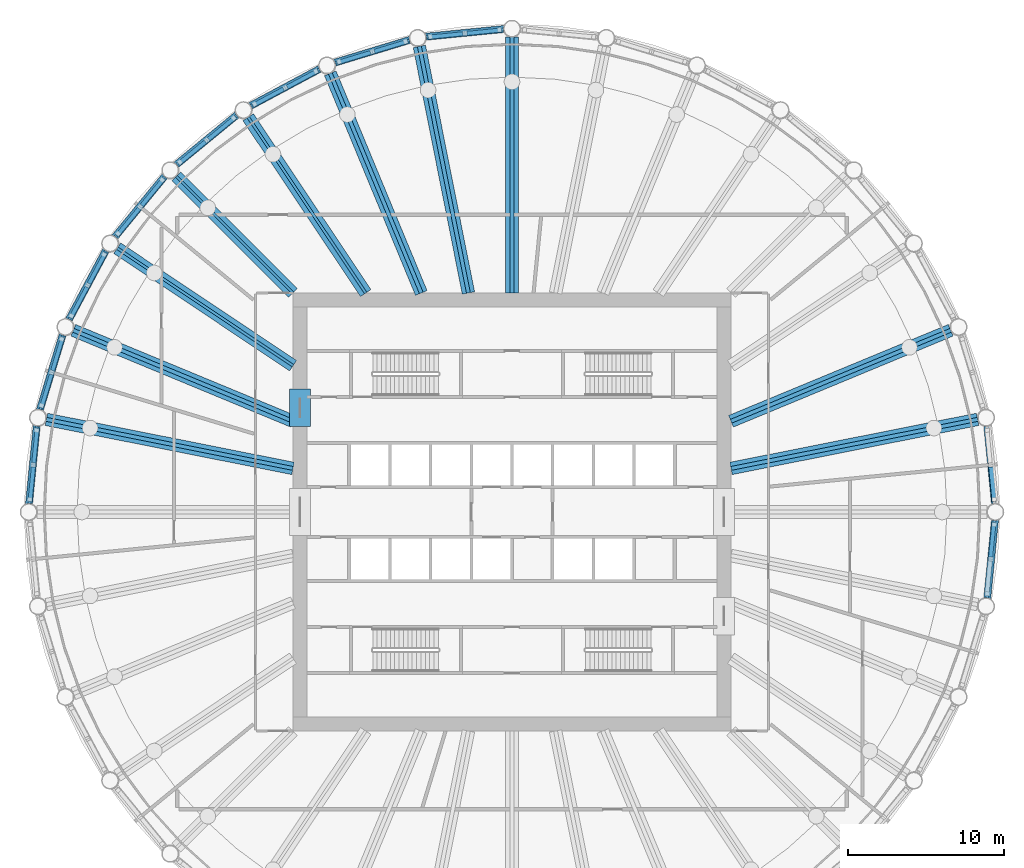
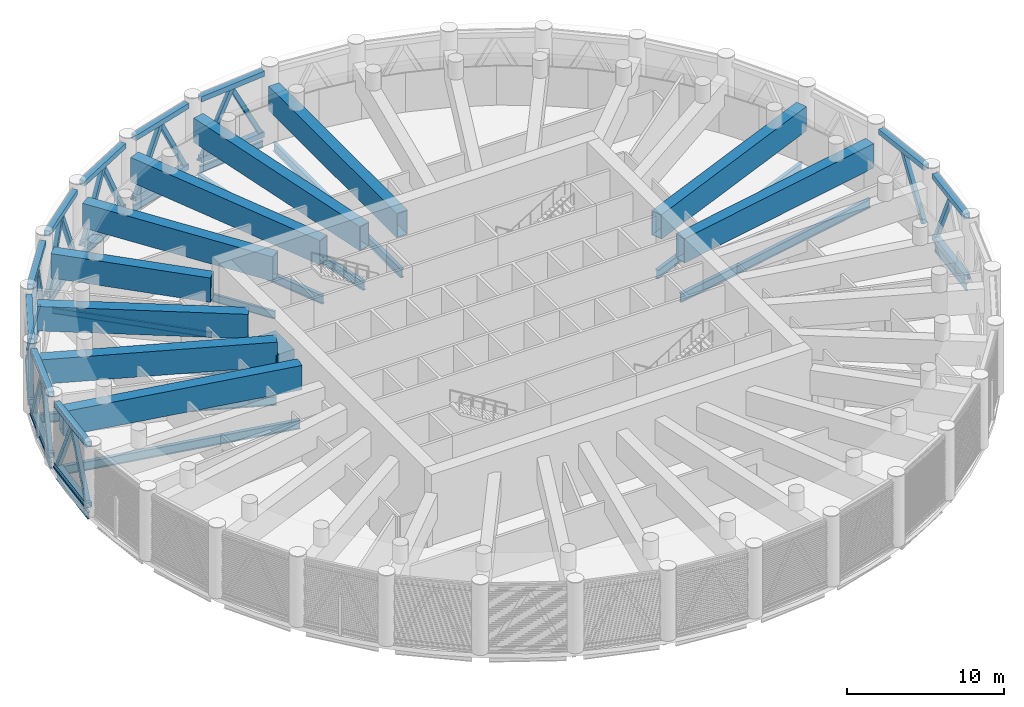
# One storey, part 3 of 23: 46 members, 30 beams, 9 elements without a shape of their own.
"""IFC4 building model written with IfcOpenShell, lengths in metres."""

from ifc_helpers import new_model, si_unit, direction, frame, origin, origin_2d, place, context, subcontext, project, spatial, rectangle, hollow_rectangle, i_section, extrude, material, material_profile, profile_set, type_object, element, aggregate, save


model = new_model("IFC4")

# Units and contexts
model_context = context("Model", 3, precision=1e-05, world=origin(), true_north=direction((0.0, 1.0)))
body_context = subcontext(model_context, "Body", "Model", "MODEL_VIEW")
ifc_project = project(units=[si_unit("LENGTHUNIT", "METRE"), si_unit("AREAUNIT", "SQUARE_METRE"), si_unit("VOLUMEUNIT", "CUBIC_METRE"), si_unit("PLANEANGLEUNIT", "RADIAN"), si_unit("MASSUNIT", "GRAM", prefix="KILO")], contexts=[model_context])

# Site, building, storey
site_placement = place(None, origin())
site = spatial("IfcSite", under=ifc_project, at=site_placement, CompositionType="ELEMENT")
building_placement = place(site_placement, origin())
building = spatial("IfcBuilding", under=site, at=building_placement, Name="Corvane Civic Tower", CompositionType="ELEMENT")
storey_placement = place(building_placement, frame((0.0, 0.0, 196.0)))
storey = spatial("IfcBuildingStorey", under=building, at=storey_placement, Name="L46", CompositionType="ELEMENT", Elevation=196.0)

# Members
ifc_material_1 = material(Name="Steel ASTM A500 Gr C", Category="steel")
ifc_material_profile_1 = material_profile(ifc_material_1, hollow_rectangle(XDim=0.406494140625, YDim=0.406494140625, WallThickness=0.0146484375, at=origin_2d()), Name="HSS16X16X5/8")
ifc_profile_set_1 = profile_set([ifc_material_profile_1], Name="Steel ASTM A500 Gr C")
member_type_1 = type_object("IfcMemberType", Name="BELT CHORD HSS16X16X5/8", PredefinedType="CHORD", material=ifc_profile_set_1)
for number, where, z_axis, x_axis, name in (
    (1, (30.360107421875, 5.48095703125, 4.94677734375), (0.09800181167, -0.995186236294, 0.0), (0.995186236294, 0.09800181167, 0.0), "Belt truss BT-L46"),
    (2, (30.845947265625, -0.54736328125, 4.94677734375), (-0.09800181167, -0.995186236294, 0.0), (0.995186236294, -0.09800181167, 0.0), "Belt truss BT-L46"),
    (3, (30.845947265625, -0.54736328125, 0.203125), (-0.09800181167, -0.995186236294, 0.0), (0.995186236294, -0.09800181167, 0.0), "Belt truss BT-L46"),
    (4, (-30.845947265625, 0.54736328125, 4.94677734375), (0.09800181167, 0.995186236294, 0.0), (-0.995186236294, 0.09800181167, 0.0), "Belt truss BT-L46"),
    (5, (-30.845947265625, 0.54736328125, 0.203125), (0.09800181167, 0.995186236294, 0.0), (-0.995186236294, 0.09800181167, 0.0), "Belt truss BT-L46"),
):
    element("IfcMember", number, at=place(storey_placement, frame(where, z_axis=z_axis, x_axis=x_axis)), inside=storey, type_object=member_type_1, Name=name, PredefinedType="CHORD", context=body_context, shape_type="SweptSolid", body=[
        extrude(hollow_rectangle(XDim=0.406494140625, YDim=0.406494140625, WallThickness=0.0146484375, at=origin_2d()), origin(), (0.0, 0.0, 1.0), 4.95751953125),
    ])
for number, where, z_axis, x_axis, name in (
    (6, (-30.146484375, 6.5546875, 4.94677734375), (0.290269821381, 0.956944842086, 0.0), (-0.956944842086, 0.290269821381, 0.0), "Belt truss BT-L46"),
    (7, (-30.146484375, 6.5546875, 0.203125), (0.290269821381, 0.956944842086, 0.0), (-0.956944842086, 0.290269821381, 0.0), "Belt truss BT-L46"),
):
    element("IfcMember", number, at=place(storey_placement, frame(where, z_axis=z_axis, x_axis=x_axis)), inside=storey, type_object=member_type_1, Name=name, PredefinedType="CHORD", context=body_context, shape_type="SweptSolid", body=[
        extrude(hollow_rectangle(XDim=0.406494140625, YDim=0.406494140625, WallThickness=0.0146484375, at=origin_2d()), origin(), (0.0, 0.0, 1.0), 4.957275390625),
    ])
for number, where, z_axis, x_axis, name in (
    (8, (-28.28857421875, 12.31005859375, 4.94677734375), (0.471395763042, 0.881921784846, 0.0), (-0.881921784846, 0.471395763042, 0.0), "Belt truss BT-L46"),
    (9, (-28.28857421875, 12.31005859375, 0.203125), (0.471395763042, 0.881921784846, 0.0), (-0.881921784846, 0.471395763042, 0.0), "Belt truss BT-L46"),
    (10, (-25.343505859375, 17.59228515625, 4.94677734375), (0.634387546532, 0.77301516208, 0.0), (-0.77301516208, 0.634387546532, 0.0), "Belt truss BT-L46"),
    (11, (-25.343505859375, 17.59228515625, 0.203125), (0.634387546532, 0.77301516208, 0.0), (-0.77301516208, 0.634387546532, 0.0), "Belt truss BT-L46"),
    (12, (-21.424560546875, 22.198486328125, 4.94677734375), (0.77301516208, 0.634387546532, 0.0), (-0.634387546532, 0.77301516208, 0.0), "Belt truss BT-L46"),
    (13, (-21.424560546875, 22.198486328125, 0.203125), (0.77301516208, 0.634387546532, 0.0), (-0.634387546532, 0.77301516208, 0.0), "Belt truss BT-L46"),
    (14, (-16.68212890625, 25.95166015625, 4.94677734375), (0.881921784846, 0.471395763042, 0.0), (-0.471395763042, 0.881921784846, 0.0), "Belt truss BT-L46"),
    (15, (-16.68212890625, 25.95166015625, 0.203125), (0.881921784846, 0.471395763042, 0.0), (-0.471395763042, 0.881921784846, 0.0), "Belt truss BT-L46"),
):
    element("IfcMember", number, at=place(storey_placement, frame(where, z_axis=z_axis, x_axis=x_axis)), inside=storey, type_object=member_type_1, Name=name, PredefinedType="CHORD", context=body_context, shape_type="SweptSolid", body=[
        extrude(hollow_rectangle(XDim=0.406494140625, YDim=0.406494140625, WallThickness=0.0146484375, at=origin_2d()), origin(), (0.0, 0.0, 1.0), 4.95751953125),
    ])
for number, where, z_axis, x_axis, name in (
    (16, (-11.298583984375, 28.70751953125, 4.94677734375), (0.956944842086, 0.290269821381, 0.0), (-0.290269821381, 0.956944842086, 0.0), "Belt truss BT-L46"),
    (17, (-11.298583984375, 28.70751953125, 0.203125), (0.956944842086, 0.290269821381, 0.0), (-0.290269821381, 0.956944842086, 0.0), "Belt truss BT-L46"),
):
    element("IfcMember", number, at=place(storey_placement, frame(where, z_axis=z_axis, x_axis=x_axis)), inside=storey, type_object=member_type_1, Name=name, PredefinedType="CHORD", context=body_context, shape_type="SweptSolid", body=[
        extrude(hollow_rectangle(XDim=0.406494140625, YDim=0.406494140625, WallThickness=0.0146484375, at=origin_2d()), origin(), (0.0, 0.0, 1.0), 4.957275390625),
    ])
for number, where, z_axis, x_axis, name in (
    (18, (-5.48095703125, 30.360107421875, 4.94677734375), (0.995186236294, 0.09800181167, 0.0), (-0.09800181167, 0.995186236294, 0.0), "Belt truss BT-L46"),
    (19, (-5.48095703125, 30.360107421875, 0.203125), (0.995186236294, 0.09800181167, 0.0), (-0.09800181167, 0.995186236294, 0.0), "Belt truss BT-L46"),
):
    element("IfcMember", number, at=place(storey_placement, frame(where, z_axis=z_axis, x_axis=x_axis)), inside=storey, type_object=member_type_1, Name=name, PredefinedType="CHORD", context=body_context, shape_type="SweptSolid", body=[
        extrude(hollow_rectangle(XDim=0.406494140625, YDim=0.406494140625, WallThickness=0.0146484375, at=origin_2d()), origin(), (0.0, 0.0, 1.0), 4.95751953125),
    ])
ifc_material_2 = material(Name="Steel ASTM A500 Gr C", Category="steel")
ifc_material_profile_2 = material_profile(ifc_material_2, hollow_rectangle(XDim=0.3046875, YDim=0.3046875, WallThickness=0.01171875, at=origin_2d()), Name="HSS12X12X1/2")
ifc_profile_set_2 = profile_set([ifc_material_profile_2], Name="Steel ASTM A500 Gr C")
member_type_2 = type_object("IfcMemberType", Name="BELT DIAGONAL HSS12X12X1/2", PredefinedType="BRACE", material=ifc_profile_set_2)
for number, where, z_axis, x_axis, name in (
    (20, (30.821533203125, 0.796142578125, 0.406494140625), (-0.04480977831, 0.454856799935, 0.889436549351), (-0.995182529535, -0.098039445672, 0.0), "Belt truss BT-L46"),
    (21, (30.821533203125, -0.796142578125, 0.406494140625), (-0.04480977831, -0.454856799935, 0.889436549351), (0.995182529535, -0.098039445672, 0.0), "Belt truss BT-L46"),
    (22, (-30.821533203125, 0.796142578125, 0.406494140625), (0.04480977831, 0.454856799935, 0.889436549351), (-0.995182529535, 0.098039445672, 0.0), "Belt truss BT-L46"),
    (23, (-30.384521484375, 5.232177734375, 0.406494140625), (-0.04480977831, -0.454856799935, 0.889436549351), (0.995182529535, -0.098039445672, 0.0), "Belt truss BT-L46"),
    (24, (-30.073974609375, 6.7939453125, 0.406494140625), (0.132676673631, 0.437382422958, 0.88943438002), (-0.956941450263, 0.290281003113, 0.0), "Belt truss BT-L46"),
    (25, (-28.780029296875, 11.059326171875, 0.406494140625), (-0.132679578951, -0.437341932882, 0.889453856629), (0.956932218636, -0.290311434389, 0.0), "Belt truss BT-L46"),
    (26, (-28.170654296875, 12.530517578125, 0.406494140625), (0.215438440297, 0.403089677628, 0.889440830091), (-0.881937164799, 0.471366987968, 0.0), "Belt truss BT-L46"),
    (27, (-26.069580078125, 16.461669921875, 0.406494140625), (-0.215438440297, -0.403089677628, 0.889440830091), (0.881937164799, -0.471366987968, 0.0), "Belt truss BT-L46"),
    (28, (-25.184814453125, 17.78564453125, 0.406494140625), (0.289942397399, 0.353278113632, 0.889453754064), (-0.772994849119, 0.634412297513, 0.0), "Belt truss BT-L46"),
    (29, (-22.357177734375, 21.231201171875, 0.406494140625), (-0.289937268715, -0.353321931501, 0.889438020848), (0.773038935663, -0.634358576792, 0.0), "Belt truss BT-L46"),
    (30, (-21.231201171875, 22.357177734375, 0.406494140625), (0.353321931501, 0.289937268715, 0.889438020848), (-0.634358576792, 0.773038935663, 0.0), "Belt truss BT-L46"),
    (31, (-17.78564453125, 25.184814453125, 0.406494140625), (-0.353278113632, -0.289942397399, 0.889453754064), (0.634412297513, -0.772994849119, 0.0), "Belt truss BT-L46"),
    (32, (-16.461669921875, 26.069580078125, 0.406494140625), (0.403089677628, 0.215438440297, 0.889440830091), (-0.471366987968, 0.881937164799, 0.0), "Belt truss BT-L46"),
    (33, (-12.530517578125, 28.170654296875, 0.406494140625), (-0.403089677628, -0.215438440297, 0.889440830091), (0.471366987968, -0.881937164799, 0.0), "Belt truss BT-L46"),
    (34, (-11.059326171875, 28.780029296875, 0.406494140625), (0.437341932882, 0.132679578951, 0.889453856629), (-0.290311434389, 0.956932218636, 0.0), "Belt truss BT-L46"),
    (35, (-6.7939453125, 30.073974609375, 0.406494140625), (-0.437382422958, -0.132676673631, 0.88943438002), (0.290281003113, -0.956941450263, 0.0), "Belt truss BT-L46"),
    (36, (-5.232177734375, 30.384521484375, 0.406494140625), (0.454856799935, 0.04480977831, 0.889436549351), (-0.098039445672, 0.995182529535, 0.0), "Belt truss BT-L46"),
    (37, (-0.796142578125, 30.821533203125, 0.406494140625), (-0.454856799935, -0.04480977831, 0.889436549351), (0.098039445672, -0.995182529535, 0.0), "Belt truss BT-L46"),
):
    element("IfcMember", number, at=place(storey_placement, frame(where, z_axis=z_axis, x_axis=x_axis)), inside=storey, type_object=member_type_2, Name=name, PredefinedType="BRACE", context=body_context, shape_type="SweptSolid", body=[
        extrude(hollow_rectangle(XDim=0.3046875, YDim=0.3046875, WallThickness=0.01171875, at=origin_2d()), origin(), (0.0, 0.0, 1.0), 4.876220703125),
    ])

# Beams
ifc_material_3 = material(Name="Concrete C60/75", Category="concrete")
ifc_material_profile_3 = material_profile(ifc_material_3, rectangle(XDim=1.35009765625, YDim=1.0, at=origin_2d()), Name="COUPLING BEAM 1350X1000")
ifc_profile_set_3 = profile_set([ifc_material_profile_3], Name="Concrete C60/75")
beam_type_1 = type_object("IfcBeamType", Name="COUPLING BEAM COUPLING BEAM 1350X1000", PredefinedType="BEAM", material=ifc_profile_set_3)
beam_1_placement = place(storey_placement, frame((-13.550048828125, 5.449951171875, 2.60009765625), z_axis=(0.0, 1.0, 0.0), x_axis=(-1.0, 0.0, 0.0)))
element("IfcBeam", 38, at=beam_1_placement, inside=storey, type_object=beam_type_1, Name="BM-L46-cpl-CW-WN", PredefinedType="BEAM", context=body_context, shape_type="SweptSolid", body=[
    extrude(rectangle(XDim=1.35009765625, YDim=1.0, at=origin_2d()), origin(), (0.0, 0.0, 1.0), 2.400146484375),
])
ifc_material_4 = material(Name="Steel ASTM A992 Gr 50", Category="steel")
ifc_material_profile_4 = material_profile(ifc_material_4, i_section(OverallWidth=0.165771484375, OverallDepth=0.5283203125, WebThickness=0.009765625, FlangeThickness=0.013671875, at=origin_2d()), Name="W21X50")
ifc_profile_set_4 = profile_set([ifc_material_profile_4], Name="Steel ASTM A992 Gr 50")
beam_type_2 = type_object("IfcBeamType", Name="EDGE BEAM W21X50", PredefinedType="BEAM", material=ifc_profile_set_4)
for number, where, z_axis, x_axis, name in (
    (39, (30.845947265625, -0.54736328125, -0.6142578125), (-0.09800181167, -0.995186236294, 0.0), (0.995186236294, -0.09800181167, 0.0), "BM-L46-E09"),
    (40, (-30.845947265625, 0.54736328125, -0.6142578125), (0.09800181167, 0.995186236294, 0.0), (-0.995186236294, 0.09800181167, 0.0), "BM-L46-E25"),
):
    element("IfcBeam", number, at=place(storey_placement, frame(where, z_axis=z_axis, x_axis=x_axis)), inside=storey, type_object=beam_type_2, Name=name, PredefinedType="BEAM", context=body_context, shape_type="SweptSolid", body=[
        extrude(i_section(OverallWidth=0.165771484375, OverallDepth=0.5283203125, WebThickness=0.009765625, FlangeThickness=0.013671875, at=origin_2d()), origin(), (0.0, 0.0, 1.0), 4.95751953125),
    ])
beam_2_placement = place(storey_placement, frame((-30.146484375, 6.5546875, -0.6142578125), z_axis=(0.290269821381, 0.956944842086, 0.0), x_axis=(-0.956944842086, 0.290269821381, 0.0)))
element("IfcBeam", 41, at=beam_2_placement, inside=storey, type_object=beam_type_2, Name="BM-L46-E26", PredefinedType="BEAM", context=body_context, shape_type="SweptSolid", body=[
    extrude(i_section(OverallWidth=0.165771484375, OverallDepth=0.5283203125, WebThickness=0.009765625, FlangeThickness=0.013671875, at=origin_2d()), origin(), (0.0, 0.0, 1.0), 4.957275390625),
])
for number, where, z_axis, x_axis, name in (
    (42, (-28.28857421875, 12.31005859375, -0.6142578125), (0.471395763042, 0.881921784846, 0.0), (-0.881921784846, 0.471395763042, 0.0), "BM-L46-E27"),
    (43, (-25.343505859375, 17.59228515625, -0.6142578125), (0.634387546532, 0.77301516208, 0.0), (-0.77301516208, 0.634387546532, 0.0), "BM-L46-E28"),
    (44, (-21.424560546875, 22.198486328125, -0.6142578125), (0.77301516208, 0.634387546532, 0.0), (-0.634387546532, 0.77301516208, 0.0), "BM-L46-E29"),
    (45, (-16.68212890625, 25.95166015625, -0.6142578125), (0.881921784846, 0.471395763042, 0.0), (-0.471395763042, 0.881921784846, 0.0), "BM-L46-E30"),
):
    element("IfcBeam", number, at=place(storey_placement, frame(where, z_axis=z_axis, x_axis=x_axis)), inside=storey, type_object=beam_type_2, Name=name, PredefinedType="BEAM", context=body_context, shape_type="SweptSolid", body=[
        extrude(i_section(OverallWidth=0.165771484375, OverallDepth=0.5283203125, WebThickness=0.009765625, FlangeThickness=0.013671875, at=origin_2d()), origin(), (0.0, 0.0, 1.0), 4.95751953125),
    ])
beam_3_placement = place(storey_placement, frame((-11.298583984375, 28.70751953125, -0.6142578125), z_axis=(0.956944842086, 0.290269821381, 0.0), x_axis=(-0.290269821381, 0.956944842086, 0.0)))
element("IfcBeam", 46, at=beam_3_placement, inside=storey, type_object=beam_type_2, Name="BM-L46-E31", PredefinedType="BEAM", context=body_context, shape_type="SweptSolid", body=[
    extrude(i_section(OverallWidth=0.165771484375, OverallDepth=0.5283203125, WebThickness=0.009765625, FlangeThickness=0.013671875, at=origin_2d()), origin(), (0.0, 0.0, 1.0), 4.957275390625),
])
beam_4_placement = place(storey_placement, frame((-5.48095703125, 30.360107421875, -0.6142578125), z_axis=(0.995186236294, 0.09800181167, 0.0), x_axis=(-0.09800181167, 0.995186236294, 0.0)))
element("IfcBeam", 47, at=beam_4_placement, inside=storey, type_object=beam_type_2, Name="BM-L46-E32", PredefinedType="BEAM", context=body_context, shape_type="SweptSolid", body=[
    extrude(i_section(OverallWidth=0.165771484375, OverallDepth=0.5283203125, WebThickness=0.009765625, FlangeThickness=0.013671875, at=origin_2d()), origin(), (0.0, 0.0, 1.0), 4.95751953125),
])
ifc_material_5 = material(Name="Steel ASTM A992 Gr 50", Category="steel")
ifc_material_profile_5 = material_profile(ifc_material_5, i_section(OverallWidth=0.15283203125, OverallDepth=0.45458984375, WebThickness=0.008056640625, FlangeThickness=0.013427734375, at=origin_2d()), Name="W18X40")
ifc_profile_set_5 = profile_set([ifc_material_profile_5], Name="Steel ASTM A992 Gr 50")
beam_type_3 = type_object("IfcBeamType", Name="FLOOR GIRDER W18X40", PredefinedType="BEAM", material=ifc_profile_set_5)
beam_5_placement = place(storey_placement, frame((-14.0, 14.0, -0.577392578125), z_axis=(-0.707106781187, 0.707106781187, 0.0), x_axis=(-0.707106781187, -0.707106781187, 0.0)))
element("IfcBeam", 48, at=beam_5_placement, inside=storey, type_object=beam_type_3, Name="BM-L46-G29", PredefinedType="BEAM", context=body_context, shape_type="SweptSolid", body=[
    extrude(i_section(OverallWidth=0.15283203125, OverallDepth=0.45458984375, WebThickness=0.008056640625, FlangeThickness=0.013427734375, at=origin_2d()), origin(), (0.0, 0.0, 1.0), 10.551025390625),
])
ifc_material_6 = material(Name="Steel ASTM A992 Gr 50", Category="steel")
ifc_material_profile_6 = material_profile(ifc_material_6, i_section(OverallWidth=0.177978515625, OverallDepth=0.599365234375, WebThickness=0.010009765625, FlangeThickness=0.012939453125, at=origin_2d()), Name="W24X55")
ifc_profile_set_6 = profile_set([ifc_material_profile_6], Name="Steel ASTM A992 Gr 50")
beam_type_4 = type_object("IfcBeamType", Name="FLOOR GIRDER W24X55", PredefinedType="BEAM", material=ifc_profile_set_6)
for number, where, z_axis, x_axis, name in (
    (49, (-14.0, 9.3544921875, -0.649658203125), (-0.83146888399, 0.555571323015, 0.0), (-0.555571323015, -0.83146888399, 0.0), "BM-L46-G28"),
    (50, (-9.3544921875, 14.0, -0.649658203125), (-0.555571323015, 0.83146888399, 0.0), (-0.83146888399, -0.555571323015, 0.0), "BM-L46-G30"),
):
    element("IfcBeam", number, at=place(storey_placement, frame(where, z_axis=z_axis, x_axis=x_axis)), inside=storey, type_object=beam_type_4, Name=name, PredefinedType="BEAM", context=body_context, shape_type="SweptSolid", body=[
        extrude(i_section(OverallWidth=0.177978515625, OverallDepth=0.599365234375, WebThickness=0.010009765625, FlangeThickness=0.012939453125, at=origin_2d()), origin(), (0.0, 0.0, 1.0), 13.512451171875),
    ])
ifc_material_7 = material(Name="Steel ASTM A992 Gr 50", Category="steel")
ifc_material_profile_7 = material_profile(ifc_material_7, i_section(OverallWidth=0.25390625, OverallDepth=0.67822265625, WebThickness=0.01171875, FlangeThickness=0.016357421875, at=origin_2d()), Name="W27X84")
ifc_profile_set_7 = profile_set([ifc_material_profile_7], Name="Steel ASTM A992 Gr 50")
beam_type_5 = type_object("IfcBeamType", Name="FLOOR GIRDER W27X84", PredefinedType="BEAM", material=ifc_profile_set_7)
beam_6_placement = place(storey_placement, frame((0.0, 14.0, -0.689208984375), z_axis=(0.0, 1.0, 0.0), x_axis=(-1.0, 0.0, 0.0)))
element("IfcBeam", 51, at=beam_6_placement, inside=storey, type_object=beam_type_5, Name="BM-L46-G01", PredefinedType="BEAM", context=body_context, shape_type="SweptSolid", body=[
    extrude(i_section(OverallWidth=0.25390625, OverallDepth=0.67822265625, WebThickness=0.01171875, FlangeThickness=0.016357421875, at=origin_2d()), origin(), (0.0, 0.0, 1.0), 16.35009765625),
])
beam_7_placement = place(storey_placement, frame((14.0, 5.799072265625, -0.689208984375), z_axis=(0.923880551114, 0.38268097323, 0.0), x_axis=(-0.38268097323, 0.923880551114, 0.0)))
element("IfcBeam", 52, at=beam_7_placement, inside=storey, type_object=beam_type_5, Name="BM-L46-G07", PredefinedType="BEAM", context=body_context, shape_type="SweptSolid", body=[
    extrude(i_section(OverallWidth=0.25390625, OverallDepth=0.67822265625, WebThickness=0.01171875, FlangeThickness=0.016357421875, at=origin_2d()), origin(), (0.0, 0.0, 1.0), 15.196533203125),
])
for number, where, z_axis, x_axis, name in (
    (53, (14.0, 2.78466796875, -0.689208984375), (0.980785162999, 0.195090912248, 0.0), (-0.195090912248, 0.980785162999, 0.0), "BM-L46-G08"),
    (54, (-14.0, 2.78466796875, -0.689208984375), (-0.980785162999, 0.195090912248, 0.0), (-0.195090912248, -0.980785162999, 0.0), "BM-L46-G26"),
):
    element("IfcBeam", number, at=place(storey_placement, frame(where, z_axis=z_axis, x_axis=x_axis)), inside=storey, type_object=beam_type_5, Name=name, PredefinedType="BEAM", context=body_context, shape_type="SweptSolid", body=[
        extrude(i_section(OverallWidth=0.25390625, OverallDepth=0.67822265625, WebThickness=0.01171875, FlangeThickness=0.016357421875, at=origin_2d()), origin(), (0.0, 0.0, 1.0), 16.07568359375),
    ])
for number, where, z_axis, x_axis, name in (
    (55, (-14.0, 5.799072265625, -0.689208984375), (-0.923880551114, 0.38268097323, 0.0), (-0.38268097323, -0.923880551114, 0.0), "BM-L46-G27"),
    (56, (-5.799072265625, 14.0, -0.689208984375), (-0.38268097323, 0.923880551114, 0.0), (-0.923880551114, -0.38268097323, 0.0), "BM-L46-G31"),
):
    element("IfcBeam", number, at=place(storey_placement, frame(where, z_axis=z_axis, x_axis=x_axis)), inside=storey, type_object=beam_type_5, Name=name, PredefinedType="BEAM", context=body_context, shape_type="SweptSolid", body=[
        extrude(i_section(OverallWidth=0.25390625, OverallDepth=0.67822265625, WebThickness=0.01171875, FlangeThickness=0.016357421875, at=origin_2d()), origin(), (0.0, 0.0, 1.0), 15.196533203125),
    ])
beam_8_placement = place(storey_placement, frame((-2.78466796875, 14.0, -0.689208984375), z_axis=(-0.195090912248, 0.980785162999, 0.0), x_axis=(-0.980785162999, -0.195090912248, 0.0)))
element("IfcBeam", 57, at=beam_8_placement, inside=storey, type_object=beam_type_5, Name="BM-L46-G32", PredefinedType="BEAM", context=body_context, shape_type="SweptSolid", body=[
    extrude(i_section(OverallWidth=0.25390625, OverallDepth=0.67822265625, WebThickness=0.01171875, FlangeThickness=0.016357421875, at=origin_2d()), origin(), (0.0, 0.0, 1.0), 16.07568359375),
])

# Curtain wall, member
ifc_material_8 = material(Name="Anodised aluminium bronze", Category="aluminium")
curtain_wall_type = type_object("IfcCurtainWallType", Name="TOWER CW-LV LOUVRE SCREEN WALL", PredefinedType="NOTDEFINED", material=ifc_material_8)
curtain_wall_1_placement = place(storey_placement, origin())
curtain_wall_1 = element("IfcCurtainWall", 58, at=curtain_wall_1_placement, inside=storey, type_object=curtain_wall_type, Name="Louvre screen wall CW-LV L46 bay 09", PredefinedType="NOTDEFINED")
ifc_material_9 = material(Name="Anodised aluminium bronze", Category="aluminium")
ifc_material_profile_8 = material_profile(ifc_material_9, rectangle(XDim=0.139892578125, YDim=0.1201171875, at=origin_2d()), Name="TOWER CW-LV TRANSOM 140x120")
ifc_profile_set_8 = profile_set([ifc_material_profile_8], Name="Anodised aluminium bronze")
member_type_3 = type_object("IfcMemberType", Name="TOWER CW-LV TRANSOM 140x120", PredefinedType="USERDEFINED", material=ifc_profile_set_8)
member_1_placement = place(storey_placement, frame((31.0302734375, -0.505126953125, 0.06005859375), z_axis=(-0.097989755963, -0.995187423416, 0.0), x_axis=(0.995187423416, -0.097989755963, 0.0)))
member_1 = element("IfcMember", 59, at=member_1_placement, type_object=member_type_3, Name="Transom CW-LV L46 09.1", ObjectType="TRANSOM", PredefinedType="USERDEFINED", context=body_context, shape_type="SweptSolid", body=[
    extrude(rectangle(XDim=0.139892578125, YDim=0.1201171875, at=origin_2d()), origin(), (0.0, 0.0, 1.0), 5.07763671875),
])
aggregate(curtain_wall_1, [member_1])

curtain_wall_2_placement = place(storey_placement, origin())
curtain_wall_2 = element("IfcCurtainWall", 60, at=curtain_wall_2_placement, inside=storey, type_object=curtain_wall_type, Name="Louvre screen wall CW-LV L46 bay 25", PredefinedType="NOTDEFINED")
member_2_placement = place(storey_placement, frame((-31.0302734375, 0.505126953125, 0.06005859375), z_axis=(0.097989755963, 0.995187423416, 0.0), x_axis=(-0.995187423416, 0.097989755963, 0.0)))
member_2 = element("IfcMember", 61, at=member_2_placement, type_object=member_type_3, Name="Transom CW-LV L46 25.1", ObjectType="TRANSOM", PredefinedType="USERDEFINED", context=body_context, shape_type="SweptSolid", body=[
    extrude(rectangle(XDim=0.139892578125, YDim=0.1201171875, at=origin_2d()), origin(), (0.0, 0.0, 1.0), 5.07763671875),
])
aggregate(curtain_wall_2, [member_2])

curtain_wall_3_placement = place(storey_placement, origin())
curtain_wall_3 = element("IfcCurtainWall", 62, at=curtain_wall_3_placement, inside=storey, type_object=curtain_wall_type, Name="Louvre screen wall CW-LV L46 bay 26", PredefinedType="NOTDEFINED")
member_3_placement = place(storey_placement, frame((-30.33544921875, 6.54931640625, 0.06005859375), z_axis=(0.290288977061, 0.956939031389, 0.0), x_axis=(-0.956939031389, 0.290288977061, 0.0)))
member_3 = element("IfcMember", 63, at=member_3_placement, type_object=member_type_3, Name="Transom CW-LV L46 26.1", ObjectType="TRANSOM", PredefinedType="USERDEFINED", context=body_context, shape_type="SweptSolid", body=[
    extrude(rectangle(XDim=0.139892578125, YDim=0.1201171875, at=origin_2d()), origin(), (0.0, 0.0, 1.0), 5.077392578125),
])
aggregate(curtain_wall_3, [member_3])

curtain_wall_4_placement = place(storey_placement, origin())
curtain_wall_4 = element("IfcCurtainWall", 64, at=curtain_wall_4_placement, inside=storey, type_object=curtain_wall_type, Name="Louvre screen wall CW-LV L46 bay 27", PredefinedType="NOTDEFINED")
member_4_placement = place(storey_placement, frame((-28.474853515625, 12.341552734375, 0.06005859375), z_axis=(0.471396615074, 0.881921329426, 0.0), x_axis=(-0.881921329426, 0.471396615074, 0.0)))
member_4 = element("IfcMember", 65, at=member_4_placement, type_object=member_type_3, Name="Transom CW-LV L46 27.1", ObjectType="TRANSOM", PredefinedType="USERDEFINED", context=body_context, shape_type="SweptSolid", body=[
    extrude(rectangle(XDim=0.139892578125, YDim=0.1201171875, at=origin_2d()), origin(), (0.0, 0.0, 1.0), 5.07763671875),
])
aggregate(curtain_wall_4, [member_4])

curtain_wall_5_placement = place(storey_placement, origin())
curtain_wall_5 = element("IfcCurtainWall", 66, at=curtain_wall_5_placement, inside=storey, type_object=curtain_wall_type, Name="Louvre screen wall CW-LV L46 bay 28", PredefinedType="NOTDEFINED")
member_5_placement = place(storey_placement, frame((-25.519775390625, 17.65966796875, 0.06005859375), z_axis=(0.634386611146, 0.773015929719, 0.0), x_axis=(-0.773015929719, 0.634386611146, 0.0)))
member_5 = element("IfcMember", 67, at=member_5_placement, type_object=member_type_3, Name="Transom CW-LV L46 28.1", ObjectType="TRANSOM", PredefinedType="USERDEFINED", context=body_context, shape_type="SweptSolid", body=[
    extrude(rectangle(XDim=0.139892578125, YDim=0.1201171875, at=origin_2d()), origin(), (0.0, 0.0, 1.0), 5.0771484375),
])
aggregate(curtain_wall_5, [member_5])

curtain_wall_6_placement = place(storey_placement, origin())
curtain_wall_6 = element("IfcCurtainWall", 68, at=curtain_wall_6_placement, inside=storey, type_object=curtain_wall_type, Name="Louvre screen wall CW-LV L46 bay 29", PredefinedType="NOTDEFINED")
member_6_placement = place(storey_placement, frame((-21.58447265625, 22.298828125, 0.06005859375), z_axis=(0.773015929719, 0.634386611146, 0.0), x_axis=(-0.634386611146, 0.773015929719, 0.0)))
member_6 = element("IfcMember", 69, at=member_6_placement, type_object=member_type_3, Name="Transom CW-LV L46 29.1", ObjectType="TRANSOM", PredefinedType="USERDEFINED", context=body_context, shape_type="SweptSolid", body=[
    extrude(rectangle(XDim=0.139892578125, YDim=0.1201171875, at=origin_2d()), origin(), (0.0, 0.0, 1.0), 5.0771484375),
])
aggregate(curtain_wall_6, [member_6])

curtain_wall_7_placement = place(storey_placement, origin())
curtain_wall_7 = element("IfcCurtainWall", 70, at=curtain_wall_7_placement, inside=storey, type_object=curtain_wall_type, Name="Louvre screen wall CW-LV L46 bay 30", PredefinedType="NOTDEFINED")
member_7_placement = place(storey_placement, frame((-16.819580078125, 26.081298828125, 0.06005859375), z_axis=(0.881921329426, 0.471396615074, 0.0), x_axis=(-0.471396615074, 0.881921329426, 0.0)))
member_7 = element("IfcMember", 71, at=member_7_placement, type_object=member_type_3, Name="Transom CW-LV L46 30.1", ObjectType="TRANSOM", PredefinedType="USERDEFINED", context=body_context, shape_type="SweptSolid", body=[
    extrude(rectangle(XDim=0.139892578125, YDim=0.1201171875, at=origin_2d()), origin(), (0.0, 0.0, 1.0), 5.07763671875),
])
aggregate(curtain_wall_7, [member_7])

curtain_wall_8_placement = place(storey_placement, origin())
curtain_wall_8 = element("IfcCurtainWall", 72, at=curtain_wall_8_placement, inside=storey, type_object=curtain_wall_type, Name="Louvre screen wall CW-LV L46 bay 31", PredefinedType="NOTDEFINED")
member_8_placement = place(storey_placement, frame((-11.407958984375, 28.861572265625, 0.06005859375), z_axis=(0.956939031389, 0.290288977061, 0.0), x_axis=(-0.290288977061, 0.956939031389, 0.0)))
member_8 = element("IfcMember", 73, at=member_8_placement, type_object=member_type_3, Name="Transom CW-LV L46 31.1", ObjectType="TRANSOM", PredefinedType="USERDEFINED", context=body_context, shape_type="SweptSolid", body=[
    extrude(rectangle(XDim=0.139892578125, YDim=0.1201171875, at=origin_2d()), origin(), (0.0, 0.0, 1.0), 5.077392578125),
])
aggregate(curtain_wall_8, [member_8])

curtain_wall_9_placement = place(storey_placement, origin())
curtain_wall_9 = element("IfcCurtainWall", 74, at=curtain_wall_9_placement, inside=storey, type_object=curtain_wall_type, Name="Louvre screen wall CW-LV L46 bay 32", PredefinedType="NOTDEFINED")
member_9_placement = place(storey_placement, frame((-5.558349609375, 30.53271484375, 0.06005859375), z_axis=(0.995187423416, 0.097989755963, 0.0), x_axis=(-0.097989755963, 0.995187423416, 0.0)))
member_9 = element("IfcMember", 75, at=member_9_placement, type_object=member_type_3, Name="Transom CW-LV L46 32.1", ObjectType="TRANSOM", PredefinedType="USERDEFINED", context=body_context, shape_type="SweptSolid", body=[
    extrude(rectangle(XDim=0.139892578125, YDim=0.1201171875, at=origin_2d()), origin(), (0.0, 0.0, 1.0), 5.07763671875),
])
aggregate(curtain_wall_9, [member_9])

# Beams
ifc_material_10 = material(Name="Steel ASTM A572 Gr 50", Category="steel")
ifc_material_profile_9 = material_profile(ifc_material_10, hollow_rectangle(XDim=0.800048828125, YDim=1.89990234375, WallThickness=0.050048828125, at=origin_2d()), Name="BOX1900X800X50")
ifc_profile_set_9 = profile_set([ifc_material_profile_9], Name="Steel ASTM A572 Gr 50")
beam_type_6 = type_object("IfcBeamType", Name="TRANSFER GIRDER BOX1900X800X50", PredefinedType="BEAM", material=ifc_profile_set_9)
beam_9_placement = place(storey_placement, frame((0.0, 14.0, 3.14990234375), z_axis=(0.0, 1.0, 0.0), x_axis=(-1.0, 0.0, 0.0)))
element("IfcBeam", 76, at=beam_9_placement, inside=storey, type_object=beam_type_6, Name="Transfer girder TG-L46-1", PredefinedType="BEAM", context=body_context, shape_type="SweptSolid", body=[
    extrude(hollow_rectangle(XDim=0.800048828125, YDim=1.89990234375, WallThickness=0.050048828125, at=origin_2d()), origin(), (0.0, 0.0, 1.0), 16.35009765625),
])
beam_10_placement = place(storey_placement, frame((14.0, 5.799072265625, 3.14990234375), z_axis=(0.923880551114, 0.38268097323, 0.0), x_axis=(-0.38268097323, 0.923880551114, 0.0)))
element("IfcBeam", 77, at=beam_10_placement, inside=storey, type_object=beam_type_6, Name="Transfer girder TG-L46-7", PredefinedType="BEAM", context=body_context, shape_type="SweptSolid", body=[
    extrude(hollow_rectangle(XDim=0.800048828125, YDim=1.89990234375, WallThickness=0.050048828125, at=origin_2d()), origin(), (0.0, 0.0, 1.0), 15.196533203125),
])
for number, where, z_axis, x_axis, name in (
    (78, (14.0, 2.78466796875, 3.14990234375), (0.980785162999, 0.195090912248, 0.0), (-0.195090912248, 0.980785162999, 0.0), "Transfer girder TG-L46-8"),
    (79, (-14.0, 2.78466796875, 3.14990234375), (-0.980785162999, 0.195090912248, 0.0), (-0.195090912248, -0.980785162999, 0.0), "Transfer girder TG-L46-26"),
):
    element("IfcBeam", number, at=place(storey_placement, frame(where, z_axis=z_axis, x_axis=x_axis)), inside=storey, type_object=beam_type_6, Name=name, PredefinedType="BEAM", context=body_context, shape_type="SweptSolid", body=[
        extrude(hollow_rectangle(XDim=0.800048828125, YDim=1.89990234375, WallThickness=0.050048828125, at=origin_2d()), origin(), (0.0, 0.0, 1.0), 16.07568359375),
    ])
beam_11_placement = place(storey_placement, frame((-14.0, 5.799072265625, 3.14990234375), z_axis=(-0.923880551114, 0.38268097323, 0.0), x_axis=(-0.38268097323, -0.923880551114, 0.0)))
element("IfcBeam", 80, at=beam_11_placement, inside=storey, type_object=beam_type_6, Name="Transfer girder TG-L46-27", PredefinedType="BEAM", context=body_context, shape_type="SweptSolid", body=[
    extrude(hollow_rectangle(XDim=0.800048828125, YDim=1.89990234375, WallThickness=0.050048828125, at=origin_2d()), origin(), (0.0, 0.0, 1.0), 15.196533203125),
])
beam_12_placement = place(storey_placement, frame((-14.0, 9.3544921875, 3.14990234375), z_axis=(-0.83146888399, 0.555571323015, 0.0), x_axis=(-0.555571323015, -0.83146888399, 0.0)))
element("IfcBeam", 81, at=beam_12_placement, inside=storey, type_object=beam_type_6, Name="Transfer girder TG-L46-28", PredefinedType="BEAM", context=body_context, shape_type="SweptSolid", body=[
    extrude(hollow_rectangle(XDim=0.800048828125, YDim=1.89990234375, WallThickness=0.050048828125, at=origin_2d()), origin(), (0.0, 0.0, 1.0), 13.512451171875),
])
beam_13_placement = place(storey_placement, frame((-14.0, 14.0, 3.14990234375), z_axis=(-0.707106781187, 0.707106781187, 0.0), x_axis=(-0.707106781187, -0.707106781187, 0.0)))
element("IfcBeam", 82, at=beam_13_placement, inside=storey, type_object=beam_type_6, Name="Transfer girder TG-L46-29", PredefinedType="BEAM", context=body_context, shape_type="SweptSolid", body=[
    extrude(hollow_rectangle(XDim=0.800048828125, YDim=1.89990234375, WallThickness=0.050048828125, at=origin_2d()), origin(), (0.0, 0.0, 1.0), 10.551025390625),
])
beam_14_placement = place(storey_placement, frame((-9.3544921875, 14.0, 3.14990234375), z_axis=(-0.555571323015, 0.83146888399, 0.0), x_axis=(-0.83146888399, -0.555571323015, 0.0)))
element("IfcBeam", 83, at=beam_14_placement, inside=storey, type_object=beam_type_6, Name="Transfer girder TG-L46-30", PredefinedType="BEAM", context=body_context, shape_type="SweptSolid", body=[
    extrude(hollow_rectangle(XDim=0.800048828125, YDim=1.89990234375, WallThickness=0.050048828125, at=origin_2d()), origin(), (0.0, 0.0, 1.0), 13.512451171875),
])
beam_15_placement = place(storey_placement, frame((-5.799072265625, 14.0, 3.14990234375), z_axis=(-0.38268097323, 0.923880551114, 0.0), x_axis=(-0.923880551114, -0.38268097323, 0.0)))
element("IfcBeam", 84, at=beam_15_placement, inside=storey, type_object=beam_type_6, Name="Transfer girder TG-L46-31", PredefinedType="BEAM", context=body_context, shape_type="SweptSolid", body=[
    extrude(hollow_rectangle(XDim=0.800048828125, YDim=1.89990234375, WallThickness=0.050048828125, at=origin_2d()), origin(), (0.0, 0.0, 1.0), 15.196533203125),
])
beam_16_placement = place(storey_placement, frame((-2.78466796875, 14.0, 3.14990234375), z_axis=(-0.195090912248, 0.980785162999, 0.0), x_axis=(-0.980785162999, -0.195090912248, 0.0)))
element("IfcBeam", 85, at=beam_16_placement, inside=storey, type_object=beam_type_6, Name="Transfer girder TG-L46-32", PredefinedType="BEAM", context=body_context, shape_type="SweptSolid", body=[
    extrude(hollow_rectangle(XDim=0.800048828125, YDim=1.89990234375, WallThickness=0.050048828125, at=origin_2d()), origin(), (0.0, 0.0, 1.0), 16.07568359375),
])

save(model, "model.ifc")
